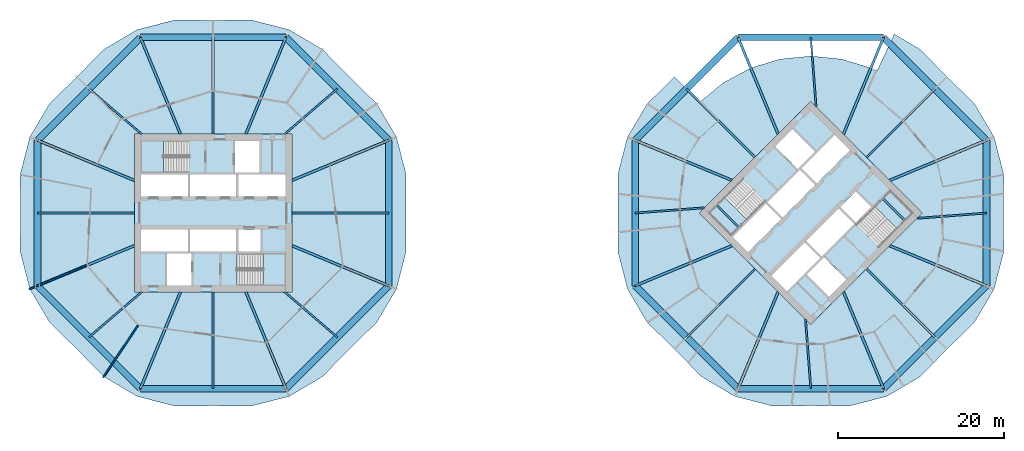
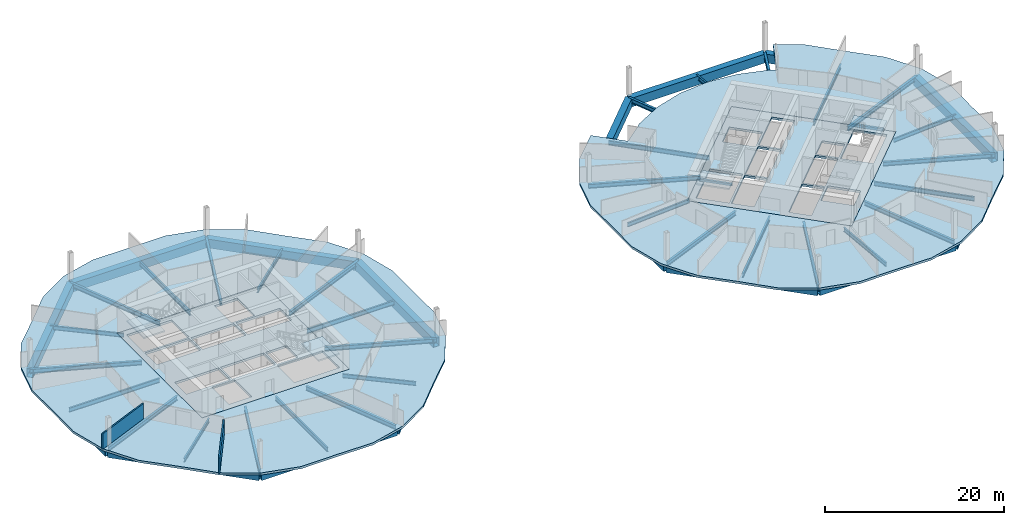
# One storey, part 3 of 9: 50 beams, 8 slabs, 2 walls, 4 elements without a shape of their own.
"""IFC4 building model written with IfcOpenShell, lengths in metres."""

from ifc_helpers import new_model, si_unit, direction, frame, frame_2d, origin, origin_2d, place, context, subcontext, project, spatial, polyline, rectangle, hollow_rectangle, i_section, outline, extrude, material, layer, layer_set, material_profile, profile_set, type_object, element, aggregate, save


model = new_model("IFC4")

# Units and contexts
model_context = context("Model", 3, precision=1e-05, world=origin(), true_north=direction((0.0, 1.0)))
body_context = subcontext(model_context, "Body", "Model", "MODEL_VIEW")
ifc_project = project(units=[si_unit("LENGTHUNIT", "METRE"), si_unit("AREAUNIT", "SQUARE_METRE"), si_unit("VOLUMEUNIT", "CUBIC_METRE"), si_unit("PLANEANGLEUNIT", "RADIAN"), si_unit("MASSUNIT", "GRAM", prefix="KILO")], contexts=[model_context])

# Site, building, storey
site_placement = place(None, origin())
site = spatial("IfcSite", under=ifc_project, at=site_placement, CompositionType="ELEMENT")
building_placement = place(site_placement, origin())
building = spatial("IfcBuilding", under=site, at=building_placement, Name="Ogive Gate Towers", CompositionType="ELEMENT")
storey_placement = place(building_placement, frame((0.0, 0.0, 67.5)))
storey = spatial("IfcBuildingStorey", under=building, at=storey_placement, Name="L15", CompositionType="ELEMENT", Elevation=67.5)

# Beams
ifc_material_1 = material(Name="Steel SM460", Category="steel")
ifc_material_profile_1 = material_profile(ifc_material_1, hollow_rectangle(XDim=0.800048828125, YDim=1.199951171875, WallThickness=0.050048828125, at=origin_2d()), Name="BX 1200x800x50")
ifc_profile_set_1 = profile_set([ifc_material_profile_1], Name="Steel SM460")
beam_type_1 = type_object("IfcBeamType", Name="Edge girder BX 1200x800x50", PredefinedType="BEAM", material=ifc_profile_set_1)
for number, where, z_axis, x_axis, name in (
    (1, (-57.15673828125, -8.763427734375, -0.89990234375), (0.707106781187, -0.707106781187, 0.0), (0.707106781187, 0.707106781187, 0.0), "T1/L15/SBM017"),
    (2, (-44.763427734375, -21.15673828125, -0.89990234375), (1.0, 0.0, 0.0), (0.0, 1.0, 0.0), "T1/L15/SBM018"),
    (3, (-27.236572265625, -21.15673828125, -0.89990234375), (0.707106781187, 0.707106781187, 0.0), (-0.707106781187, 0.707106781187, 0.0), "T1/L15/SBM019"),
    (4, (-14.84326171875, -8.763427734375, -0.89990234375), (0.0, 1.0, 0.0), (-1.0, 0.0, 0.0), "T1/L15/SBM020"),
    (5, (-14.84326171875, 8.763427734375, -0.89990234375), (-0.707106781187, 0.707106781187, 0.0), (-0.707106781187, -0.707106781187, 0.0), "T1/L15/SBM021"),
    (6, (-27.236572265625, 21.15673828125, -0.89990234375), (-1.0, 0.0, 0.0), (0.0, -1.0, 0.0), "T1/L15/SBM022"),
    (7, (-44.763427734375, 21.15673828125, -0.89990234375), (-0.707106781187, -0.707106781187, 0.0), (0.707106781187, -0.707106781187, 0.0), "T1/L15/SBM023"),
    (8, (-57.15673828125, 8.763427734375, -0.89990234375), (0.0, -1.0, 0.0), (1.0, 0.0, 0.0), "T1/L15/SBM024"),
    (9, (14.84326171875, -8.763427734375, -0.89990234375), (0.707106781187, -0.707106781187, 0.0), (0.707106781187, 0.707106781187, 0.0), "T2/L15/SBM017"),
    (10, (27.236572265625, -21.15673828125, -0.89990234375), (1.0, 0.0, 0.0), (0.0, 1.0, 0.0), "T2/L15/SBM018"),
    (11, (44.763427734375, -21.15673828125, -0.89990234375), (0.707106781187, 0.707106781187, 0.0), (-0.707106781187, 0.707106781187, 0.0), "T2/L15/SBM019"),
    (12, (57.15673828125, -8.763427734375, -0.89990234375), (0.0, 1.0, 0.0), (-1.0, 0.0, 0.0), "T2/L15/SBM020"),
    (13, (57.15673828125, 8.763427734375, -0.89990234375), (-0.707106781187, 0.707106781187, 0.0), (-0.707106781187, -0.707106781187, 0.0), "T2/L15/SBM021"),
    (14, (44.763427734375, 21.15673828125, -0.89990234375), (-1.0, 0.0, 0.0), (0.0, -1.0, 0.0), "T2/L15/SBM022"),
    (15, (27.236572265625, 21.15673828125, -0.89990234375), (-0.707106781187, -0.707106781187, 0.0), (0.707106781187, -0.707106781187, 0.0), "T2/L15/SBM023"),
    (16, (14.84326171875, 8.763427734375, -0.89990234375), (0.0, -1.0, 0.0), (1.0, 0.0, 0.0), "T2/L15/SBM024"),
):
    element("IfcBeam", number, at=place(storey_placement, frame(where, z_axis=z_axis, x_axis=x_axis)), inside=storey, type_object=beam_type_1, Name=name, PredefinedType="BEAM", context=body_context, shape_type="SweptSolid", body=[
        extrude(hollow_rectangle(XDim=0.800048828125, YDim=1.199951171875, WallThickness=0.050048828125, at=origin_2d()), origin(), (0.0, 0.0, 1.0), 17.52685546875),
    ])
ifc_material_2 = material(Name="Concrete C40/50", Category="concrete")
ifc_material_profile_2 = material_profile(ifc_material_2, rectangle(XDim=0.25, YDim=0.300048828125, at=origin_2d()), Name="RC 250x300")
ifc_profile_set_2 = profile_set([ifc_material_profile_2], Name="Concrete C40/50")
beam_type_2 = type_object("IfcBeamType", Name="Landing bearer RC 250x300", PredefinedType="BEAM", material=ifc_profile_set_2)
for number, where, z_axis, x_axis, name in (
    (17, (24.650390625, 0.9541015625, 1.60009765625), (0.707106781187, -0.707106781187, 0.0), (0.707106781187, 0.707106781187, 0.0), "T2 L15 stair 1 landing bearer 1"),
    (18, (47.349609375, -0.9541015625, 1.60009765625), (-0.707106781187, 0.707106781187, 0.0), (-0.707106781187, -0.707106781187, 0.0), "T2 L15 stair 2 landing bearer 1"),
):
    element("IfcBeam", number, at=place(storey_placement, frame(where, z_axis=z_axis, x_axis=x_axis)), inside=storey, type_object=beam_type_2, Name=name, PredefinedType="BEAM", context=body_context, shape_type="SweptSolid", body=[
        extrude(rectangle(XDim=0.25, YDim=0.300048828125, at=origin_2d()), origin(), (0.0, 0.0, 1.0), 3.824951171875),
    ])
ifc_material_3 = material(Name="Steel SM355", Category="steel")
ifc_material_profile_3 = material_profile(ifc_material_3, i_section(OverallWidth=0.300048828125, OverallDepth=0.590087890625, WebThickness=0.012939453125, FlangeThickness=0.02490234375, FilletRadius=0.027099609375, at=origin_2d()), Name="HE 600 A")
ifc_profile_set_3 = profile_set([ifc_material_profile_3], Name="Steel SM355")
beam_type_3 = type_object("IfcBeamType", Name="Radial floor beam HE 600 A", PredefinedType="BEAM", material=ifc_profile_set_3)
for number, where, z_axis, x_axis, name in (
    (19, (-45.5, -3.93505859375, -0.594970703125), (-0.923879811284, -0.382682759347, 0.0), (0.382682759347, -0.923879811284, 0.0), "T1/L15/SBM001"),
    (20, (-39.93505859375, -9.5, -0.594970703125), (-0.382682759347, -0.923879811284, 0.0), (0.923879811284, -0.382682759347, 0.0), "T1/L15/SBM003"),
    (21, (-32.06494140625, -9.5, -0.594970703125), (0.382682759347, -0.923879811284, 0.0), (0.923879811284, 0.382682759347, 0.0), "T1/L15/SBM005"),
    (22, (-26.5, -3.93505859375, -0.594970703125), (0.923879811284, -0.382682759347, 0.0), (0.382682759347, 0.923879811284, 0.0), "T1/L15/SBM007"),
    (23, (-26.5, 3.93505859375, -0.594970703125), (0.923879811284, 0.382682759347, 0.0), (-0.382682759347, 0.923879811284, 0.0), "T1/L15/SBM009"),
    (24, (-32.06494140625, 9.5, -0.594970703125), (0.382682759347, 0.923879811284, 0.0), (-0.923879811284, 0.382682759347, 0.0), "T1/L15/SBM011"),
    (25, (-39.93505859375, 9.5, -0.594970703125), (-0.382682759347, 0.923879811284, 0.0), (-0.923879811284, -0.382682759347, 0.0), "T1/L15/SBM013"),
    (26, (-45.5, 3.93505859375, -0.594970703125), (-0.923879811284, 0.382682759347, 0.0), (-0.382682759347, -0.923879811284, 0.0), "T1/L15/SBM015"),
    (27, (26.5, -3.93505859375, -0.594970703125), (-0.923879811284, -0.382682759347, 0.0), (0.382682759347, -0.923879811284, 0.0), "T2/L15/SBM001"),
    (28, (32.06494140625, -9.5, -0.594970703125), (-0.382682759347, -0.923879811284, 0.0), (0.923879811284, -0.382682759347, 0.0), "T2/L15/SBM003"),
    (29, (39.93505859375, -9.5, -0.594970703125), (0.382682759347, -0.923879811284, 0.0), (0.923879811284, 0.382682759347, 0.0), "T2/L15/SBM005"),
    (30, (45.5, -3.93505859375, -0.594970703125), (0.923879811284, -0.382682759347, 0.0), (0.382682759347, 0.923879811284, 0.0), "T2/L15/SBM007"),
    (31, (45.5, 3.93505859375, -0.594970703125), (0.923879811284, 0.382682759347, 0.0), (-0.382682759347, 0.923879811284, 0.0), "T2/L15/SBM009"),
    (32, (39.93505859375, 9.5, -0.594970703125), (0.382682759347, 0.923879811284, 0.0), (-0.923879811284, 0.382682759347, 0.0), "T2/L15/SBM011"),
    (33, (32.06494140625, 9.5, -0.594970703125), (-0.382682759347, 0.923879811284, 0.0), (-0.923879811284, -0.382682759347, 0.0), "T2/L15/SBM013"),
    (34, (26.5, 3.93505859375, -0.594970703125), (-0.923879811284, 0.382682759347, 0.0), (-0.382682759347, -0.923879811284, 0.0), "T2/L15/SBM015"),
):
    element("IfcBeam", number, at=place(storey_placement, frame(where, z_axis=z_axis, x_axis=x_axis)), inside=storey, type_object=beam_type_3, Name=name, PredefinedType="BEAM", context=body_context, shape_type="SweptSolid", body=[
        extrude(i_section(OverallWidth=0.300048828125, OverallDepth=0.590087890625, WebThickness=0.012939453125, FlangeThickness=0.02490234375, FilletRadius=0.027099609375, at=origin_2d()), origin(), (0.0, 0.0, 1.0), 12.6171875),
    ])
ifc_material_profile_4 = material_profile(ifc_material_3, i_section(OverallWidth=0.2099609375, OverallDepth=0.550048828125, WebThickness=0.010986328125, FlangeThickness=0.01708984375, FilletRadius=0.02392578125, at=origin_2d()), Name="IPE 550")
ifc_profile_set_4 = profile_set([ifc_material_profile_4], Name="Steel SM355")
beam_type_4 = type_object("IfcBeamType", Name="Radial floor beam IPE 550", PredefinedType="BEAM", material=ifc_profile_set_4)
for number, where, z_axis, x_axis, name in (
    (35, (-44.60009765625, -9.5, -0.574951171875), (-0.75874444664, -0.651388413078, 0.0), (0.651388413078, -0.75874444664, 0.0), "T1/L15/SBM002"),
    (36, (-27.39990234375, -9.5, -0.574951171875), (0.75874444664, -0.651388413078, 0.0), (0.651388413078, 0.75874444664, 0.0), "T1/L15/SBM006"),
    (37, (-27.39990234375, 9.5, -0.574951171875), (0.75874444664, 0.651388413078, 0.0), (-0.651388413078, 0.75874444664, 0.0), "T1/L15/SBM010"),
    (38, (-44.60009765625, 9.5, -0.574951171875), (-0.75874444664, 0.651388413078, 0.0), (-0.651388413078, -0.75874444664, 0.0), "T1/L15/SBM014"),
    (39, (35.363525390625, -12.798583984375, -0.574951171875), (0.075930303007, -0.997113127526, 0.0), (0.997113127526, 0.075930303007, 0.0), "T2/L15/SBM004"),
    (40, (48.798583984375, -0.636474609375, -0.574951171875), (0.997113127526, 0.075930303007, 0.0), (-0.075930303007, 0.997113127526, 0.0), "T2/L15/SBM008"),
    (41, (36.636474609375, 12.798583984375, -0.574951171875), (-0.075930303007, 0.997113127526, 0.0), (-0.997113127526, -0.075930303007, 0.0), "T2/L15/SBM012"),
    (42, (23.201416015625, 0.636474609375, -0.574951171875), (-0.997113127526, -0.075930303007, 0.0), (0.075930303007, -0.997113127526, 0.0), "T2/L15/SBM016"),
):
    element("IfcBeam", number, at=place(storey_placement, frame(where, z_axis=z_axis, x_axis=x_axis)), inside=storey, type_object=beam_type_4, Name=name, PredefinedType="BEAM", context=body_context, shape_type="SweptSolid", body=[
        extrude(i_section(OverallWidth=0.2099609375, OverallDepth=0.550048828125, WebThickness=0.010986328125, FlangeThickness=0.01708984375, FilletRadius=0.02392578125, at=origin_2d()), origin(), (0.0, 0.0, 1.0), 8.38232421875),
    ])
ifc_material_profile_5 = material_profile(ifc_material_3, i_section(OverallWidth=0.219970703125, OverallDepth=0.60009765625, WebThickness=0.011962890625, FlangeThickness=0.01904296875, FilletRadius=0.02392578125, at=origin_2d()), Name="IPE 600")
ifc_profile_set_5 = profile_set([ifc_material_profile_5], Name="Steel SM355")
beam_type_5 = type_object("IfcBeamType", Name="Radial floor beam IPE 600", PredefinedType="BEAM", material=ifc_profile_set_5)
for number, where, z_axis, x_axis, name in (
    (43, (-36.0, -9.5, -0.60009765625), (0.0, -1.0, 0.0), (1.0, 0.0, 0.0), "T1/L15/SBM004"),
    (44, (-26.5, 0.0, -0.60009765625), (1.0, 0.0, 0.0), (0.0, 1.0, 0.0), "T1/L15/SBM008"),
    (45, (-36.0, 9.5, -0.60009765625), (0.0, 1.0, 0.0), (-1.0, 0.0, 0.0), "T1/L15/SBM012"),
    (46, (-45.5, 0.0, -0.60009765625), (-1.0, 0.0, 0.0), (0.0, -1.0, 0.0), "T1/L15/SBM016"),
):
    element("IfcBeam", number, at=place(storey_placement, frame(where, z_axis=z_axis, x_axis=x_axis)), inside=storey, type_object=beam_type_5, Name=name, PredefinedType="BEAM", context=body_context, shape_type="SweptSolid", body=[
        extrude(i_section(OverallWidth=0.219970703125, OverallDepth=0.60009765625, WebThickness=0.011962890625, FlangeThickness=0.01904296875, FilletRadius=0.02392578125, at=origin_2d()), origin(), (0.0, 0.0, 1.0), 11.65673828125),
    ])
for number, where, z_axis, x_axis, name in (
    (47, (29.282470703125, -6.717529296875, -0.60009765625), (-0.707106781187, -0.707106781187, 0.0), (0.707106781187, -0.707106781187, 0.0), "T2/L15/SBM002"),
    (48, (42.717529296875, -6.717529296875, -0.60009765625), (0.707106781187, -0.707106781187, 0.0), (0.707106781187, 0.707106781187, 0.0), "T2/L15/SBM006"),
    (49, (42.717529296875, 6.717529296875, -0.60009765625), (0.707106781187, 0.707106781187, 0.0), (-0.707106781187, 0.707106781187, 0.0), "T2/L15/SBM010"),
    (50, (29.282470703125, 6.717529296875, -0.60009765625), (-0.707106781187, 0.707106781187, 0.0), (-0.707106781187, -0.707106781187, 0.0), "T2/L15/SBM014"),
):
    element("IfcBeam", number, at=place(storey_placement, frame(where, z_axis=z_axis, x_axis=x_axis)), inside=storey, type_object=beam_type_5, Name=name, PredefinedType="BEAM", context=body_context, shape_type="SweptSolid", body=[
        extrude(i_section(OverallWidth=0.219970703125, OverallDepth=0.60009765625, WebThickness=0.011962890625, FlangeThickness=0.01904296875, FilletRadius=0.02392578125, at=origin_2d()), origin(), (0.0, 0.0, 1.0), 11.656982421875),
    ])

# Slabs
ifc_layer_1 = layer(ifc_material_2, 0.300048828125)
ifc_layer_set_1 = layer_set([ifc_layer_1], Name="Core slab C40/50 300 mm")
slab_type_1 = type_object("IfcSlabType", Name="Core slab C40/50 300 mm", PredefinedType="FLOOR", material=ifc_layer_set_1)
slab_1_placement = place(storey_placement, frame((0.0, 0.0, -0.300048828125)))
element("IfcSlab", 51, at=slab_1_placement, inside=storey, type_object=slab_type_1, Name="T1 L15 core slab", PredefinedType="FLOOR", context=body_context, shape_type="SweptSolid", body=[
    extrude(outline(polyline([(-26.5, 9.5), (-26.5, -9.5), (-45.5, -9.5), (-45.5, 9.5), (-26.5, 9.5)]), holes=[polyline([(-39.02490234375, 4.625), (-44.699951171875, 4.625), (-44.699951171875, 2.0), (-39.02490234375, 2.0), (-39.02490234375, 4.625)]), polyline([(-33.22509765625, 2.0), (-33.22509765625, 4.625), (-38.77490234375, 4.625), (-38.77490234375, 2.0), (-33.22509765625, 2.0)]), polyline([(-32.97509765625, 2.0), (-27.300048828125, 2.0), (-27.300048828125, 4.625), (-32.97509765625, 4.625), (-32.97509765625, 2.0)]), polyline([(-44.699951171875, -2.0), (-44.699951171875, -4.625), (-39.02490234375, -4.625), (-39.02490234375, -2.0), (-44.699951171875, -2.0)]), polyline([(-33.22509765625, -2.0), (-38.77490234375, -2.0), (-38.77490234375, -4.625), (-33.22509765625, -4.625), (-33.22509765625, -2.0)]), polyline([(-30.324951171875, -4.625), (-30.324951171875, -2.0), (-32.97509765625, -2.0), (-32.97509765625, -4.625), (-30.324951171875, -4.625)]), polyline([(-33.375, 4.875), (-30.425048828125, 4.875), (-30.425048828125, 8.699951171875), (-33.375, 8.699951171875), (-33.375, 4.875)]), polyline([(-41.574951171875, -4.875), (-41.574951171875, -8.699951171875), (-38.625, -8.699951171875), (-38.625, -4.875), (-41.574951171875, -4.875)]), polyline([(-44.699951171875, 4.875), (-38.885009765625, 4.875), (-38.885009765625, 8.699951171875), (-44.699951171875, 8.699951171875), (-44.699951171875, 4.875)]), polyline([(-27.300048828125, -8.699951171875), (-27.300048828125, -4.875), (-33.114990234375, -4.875), (-33.114990234375, -8.699951171875), (-27.300048828125, -8.699951171875)])]), origin(), (0.0, 0.0, 1.0), 0.300048828125),
])
slab_2_placement = place(storey_placement, frame((0.0, 0.0, -0.300048828125)))
element("IfcSlab", 52, at=slab_2_placement, inside=storey, type_object=slab_type_1, Name="T2 L15 core slab", PredefinedType="FLOOR", context=body_context, shape_type="SweptSolid", body=[
    extrude(outline(polyline([(36.0, 13.43505859375), (49.43505859375, 0.0), (36.0, -13.43505859375), (22.56494140625, 0.0), (36.0, 13.43505859375)]), holes=[polyline([(30.590576171875, 1.13134765625), (26.577880859375, -2.881591796875), (28.43408203125, -4.737548828125), (32.44677734375, -0.724853515625), (30.590576171875, 1.13134765625)]), polyline([(36.548095703125, 3.37646484375), (34.69189453125, 5.232666015625), (30.767333984375, 1.30810546875), (32.62353515625, -0.548095703125), (36.548095703125, 3.37646484375)]), polyline([(36.724853515625, 3.55322265625), (40.737548828125, 7.56591796875), (38.881591796875, 9.422119140625), (34.86865234375, 5.409423828125), (36.724853515625, 3.55322265625)]), polyline([(31.262451171875, -7.56591796875), (33.118408203125, -9.422119140625), (37.13134765625, -5.409423828125), (35.275146484375, -3.55322265625), (31.262451171875, -7.56591796875)]), polyline([(39.37646484375, 0.548095703125), (35.451904296875, -3.37646484375), (37.30810546875, -5.232666015625), (41.232666015625, -1.30810546875), (39.37646484375, 0.548095703125)]), polyline([(43.283203125, 0.742431640625), (41.427001953125, 2.5986328125), (39.55322265625, 0.724853515625), (41.409423828125, -1.13134765625), (43.283203125, 0.742431640625)]), polyline([(34.408935546875, 5.30322265625), (36.4951171875, 7.389404296875), (33.790283203125, 10.093994140625), (31.704345703125, 8.008056640625), (34.408935546875, 5.30322265625)]), polyline([(35.5048828125, -7.389404296875), (38.209716796875, -10.093994140625), (40.295654296875, -8.008056640625), (37.591064453125, -5.30322265625), (35.5048828125, -7.389404296875)]), polyline([(26.40087890625, -2.70458984375), (30.512939453125, 1.406982421875), (27.80810546875, 4.11181640625), (23.6962890625, 0.0), (26.40087890625, -2.70458984375)]), polyline([(48.3037109375, 0.0), (45.59912109375, 2.70458984375), (41.487060546875, -1.406982421875), (44.19189453125, -4.11181640625), (48.3037109375, 0.0)])]), origin(), (0.0, 0.0, 1.0), 0.300048828125),
])
ifc_material_4 = material(Name="Concrete C35/45", Category="concrete")
ifc_layer_2 = layer(ifc_material_4, 0.300048828125)
ifc_layer_set_2 = layer_set([ifc_layer_2], Name="Floor slab 300")
slab_type_2 = type_object("IfcSlabType", Name="Floor slab 300", PredefinedType="FLOOR", material=ifc_layer_set_2)
slab_3_placement = place(storey_placement, frame((0.0, 0.0, -0.300048828125)))
element("IfcSlab", 53, at=slab_3_placement, inside=storey, type_object=slab_type_2, Name="T1/L15/SSL001", PredefinedType="FLOOR", context=body_context, shape_type="SweptSolid", body=[
    extrude(outline(polyline([(-12.74560546875, -4.62548828125), (-12.7900390625, 0.0), (-12.74560546875, 4.62548828125), (-13.91015625, 9.14990234375), (-16.285888671875, 13.172607421875), (-19.588134765625, 16.411865234375), (-22.827392578125, 19.714111328125), (-26.85009765625, 22.08984375), (-31.37451171875, 23.25439453125), (-36.0, 23.2099609375), (-40.62548828125, 23.25439453125), (-45.14990234375, 22.08984375), (-49.172607421875, 19.714111328125), (-52.411865234375, 16.411865234375), (-55.714111328125, 13.172607421875), (-58.08984375, 9.14990234375), (-59.25439453125, 4.62548828125), (-59.2099609375, 0.0), (-59.25439453125, -4.62548828125), (-58.08984375, -9.14990234375), (-55.714111328125, -13.172607421875), (-52.411865234375, -16.411865234375), (-49.172607421875, -19.714111328125), (-45.14990234375, -22.08984375), (-40.62548828125, -23.25439453125), (-36.0, -23.2099609375), (-31.37451171875, -23.25439453125), (-26.85009765625, -22.08984375), (-22.827392578125, -19.714111328125), (-19.588134765625, -16.411865234375), (-16.285888671875, -13.172607421875), (-13.91015625, -9.14990234375), (-12.74560546875, -4.62548828125)]), holes=[polyline([(-26.5, -9.5), (-45.5, -9.5), (-45.5, 9.5), (-26.5, 9.5), (-26.5, -9.5)])]), origin(), (0.0, 0.0, 1.0), 0.300048828125),
])
slab_4_placement = place(storey_placement, frame((0.0, 0.0, -0.300048828125)))
element("IfcSlab", 54, at=slab_4_placement, inside=storey, type_object=slab_type_2, Name="T2/L15/SSL001", PredefinedType="FLOOR", context=body_context, shape_type="SweptSolid", body=[
    extrude(outline(polyline([(52.411865234375, 16.411865234375), (49.172607421875, 19.714111328125), (46.05224609375, 21.55712890625), (43.965087890625, 17.0810546875), (43.236572265625, 17.470458984375), (39.689208984375, 18.546630859375), (36.0, 18.909912109375), (32.310791015625, 18.546630859375), (28.763427734375, 17.470458984375), (25.494140625, 15.72314453125), (22.628662109375, 13.371337890625), (19.588134765625, 16.411865234375), (16.285888671875, 13.172607421875), (13.91015625, 9.14990234375), (12.74560546875, 4.62548828125), (12.7900390625, 0.0), (12.74560546875, -4.62548828125), (13.91015625, -9.14990234375), (16.285888671875, -13.172607421875), (19.588134765625, -16.411865234375), (22.827392578125, -19.714111328125), (26.85009765625, -22.08984375), (31.37451171875, -23.25439453125), (36.0, -23.2099609375), (40.62548828125, -23.25439453125), (45.14990234375, -22.08984375), (49.172607421875, -19.714111328125), (52.411865234375, -16.411865234375), (55.714111328125, -13.172607421875), (58.08984375, -9.14990234375), (59.25439453125, -4.62548828125), (59.2099609375, 0.0), (59.25439453125, 4.62548828125), (58.08984375, 9.14990234375), (55.714111328125, 13.172607421875), (52.411865234375, 16.411865234375)]), holes=[polyline([(49.43505859375, 0.0), (36.0, -13.43505859375), (22.56494140625, 0.0), (36.0, 13.43505859375), (49.43505859375, 0.0)])]), origin(), (0.0, 0.0, 1.0), 0.300048828125),
])

# Stair, slab
stair_type = type_object("IfcStairType", Name="Escape stair 1840 wide", PredefinedType="HALF_TURN_STAIR", material=ifc_material_2)
stair_1_placement = place(storey_placement, origin())
stair_1 = element("IfcStair", 55, at=stair_1_placement, inside=storey, type_object=stair_type, Name="L15 Escape stair 1", PredefinedType="HALF_TURN_STAIR")
ifc_layer_3 = layer(ifc_material_2, 0.199951171875)
ifc_layer_set_3 = layer_set([ifc_layer_3], Name="Stair landing 200 mm")
slab_type_3 = type_object("IfcSlabType", Name="Stair landing 200 mm", PredefinedType="LANDING", material=ifc_layer_set_3)
slab_5_placement = place(storey_placement, frame((0.0, 0.0, 1.75)))
slab_5 = element("IfcSlab", 56, at=slab_5_placement, type_object=slab_type_3, Name="ST1 landing 1", PredefinedType="LANDING", context=body_context, shape_type="SweptSolid", body=[
    extrude(outline(polyline([(-42.00146484375, 8.699951171875), (-44.699951171875, 8.699951171875), (-44.699951171875, 4.875), (-42.00146484375, 4.875), (-42.00146484375, 8.699951171875)])), origin(), (0.0, 0.0, 1.0), 0.199951171875),
])
aggregate(stair_1, [slab_5])

stair_2_placement = place(storey_placement, origin())
stair_2 = element("IfcStair", 57, at=stair_2_placement, inside=storey, type_object=stair_type, Name="L15 Escape stair 2", PredefinedType="HALF_TURN_STAIR")
slab_6_placement = place(storey_placement, frame((0.0, 0.0, 1.75)))
slab_6 = element("IfcSlab", 58, at=slab_6_placement, type_object=slab_type_3, Name="ST2 landing 1", PredefinedType="LANDING", context=body_context, shape_type="SweptSolid", body=[
    extrude(outline(polyline([(-29.99853515625, -8.699951171875), (-27.300048828125, -8.699951171875), (-27.300048828125, -4.875), (-29.99853515625, -4.875), (-29.99853515625, -8.699951171875)])), origin(), (0.0, 0.0, 1.0), 0.199951171875),
])
aggregate(stair_2, [slab_6])

stair_3_placement = place(storey_placement, origin())
stair_3 = element("IfcStair", 59, at=stair_3_placement, inside=storey, type_object=stair_type, Name="L15 Escape stair 1", PredefinedType="HALF_TURN_STAIR")
slab_7_placement = place(storey_placement, frame((0.0, 0.0, 1.75)))
slab_7 = element("IfcSlab", 60, at=slab_7_placement, type_object=slab_type_3, Name="ST1 landing 1", PredefinedType="LANDING", context=body_context, shape_type="SweptSolid", body=[
    extrude(outline(polyline([(25.6044921875, 1.908203125), (23.6962890625, 0.0), (26.401123046875, -2.70458984375), (28.309326171875, -0.79638671875), (25.6044921875, 1.908203125)])), origin(), (0.0, 0.0, 1.0), 0.199951171875),
])
aggregate(stair_3, [slab_7])

stair_4_placement = place(storey_placement, origin())
stair_4 = element("IfcStair", 61, at=stair_4_placement, inside=storey, type_object=stair_type, Name="L15 Escape stair 2", PredefinedType="HALF_TURN_STAIR")
slab_8_placement = place(storey_placement, frame((0.0, 0.0, 1.75)))
slab_8 = element("IfcSlab", 62, at=slab_8_placement, type_object=slab_type_3, Name="ST2 landing 1", PredefinedType="LANDING", context=body_context, shape_type="SweptSolid", body=[
    extrude(outline(polyline([(46.3955078125, -1.908203125), (48.3037109375, 0.0), (45.598876953125, 2.70458984375), (43.690673828125, 0.79638671875), (46.3955078125, -1.908203125)])), origin(), (0.0, 0.0, 1.0), 0.199951171875),
])
aggregate(stair_4, [slab_8])

# Walls
ifc_material_5 = material(Name="Gypsum board acoustic partition")
ifc_layer_4 = layer(ifc_material_5, 0.175048828125)
ifc_layer_set_4 = layer_set([ifc_layer_4], Name="Acoustic partition 175")
wall_type = type_object("IfcWallType", Name="Acoustic partition 175", PredefinedType="PARTITIONING", material=ifc_layer_set_4)
wall_1_placement = place(storey_placement, frame((-58.16845703125, -9.182373046875, 0.0), z_axis=(0.0, 0.0, 1.0), x_axis=(0.923877226878, 0.382688998608, 0.0)))
element("IfcWall", 63, at=wall_1_placement, inside=storey, type_object=wall_type, Name="Partition T1-L15-008", PredefinedType="PARTITIONING", context=body_context, shape_type="SweptSolid", body=[
    extrude(rectangle(XDim=7.4814453125, YDim=0.175048828125, at=frame_2d((3.74072265625, 0.0))), origin(), (0.0, 0.0, 1.0), 2.10009765625),
])
wall_2_placement = place(storey_placement, frame((-49.2529296875, -19.82080078125, 0.0), z_axis=(0.0, 0.0, 1.0), x_axis=(0.555821949629, 0.831301365517, 0.0)))
element("IfcWall", 64, at=wall_2_placement, inside=storey, type_object=wall_type, Name="Partition T1-L15-009", PredefinedType="PARTITIONING", context=body_context, shape_type="SweptSolid", body=[
    extrude(rectangle(XDim=7.5302734375, YDim=0.175048828125, at=frame_2d((3.76513671875, 0.0))), origin(), (0.0, 0.0, 1.0), 2.10009765625),
])

save(model, "model.ifc")
